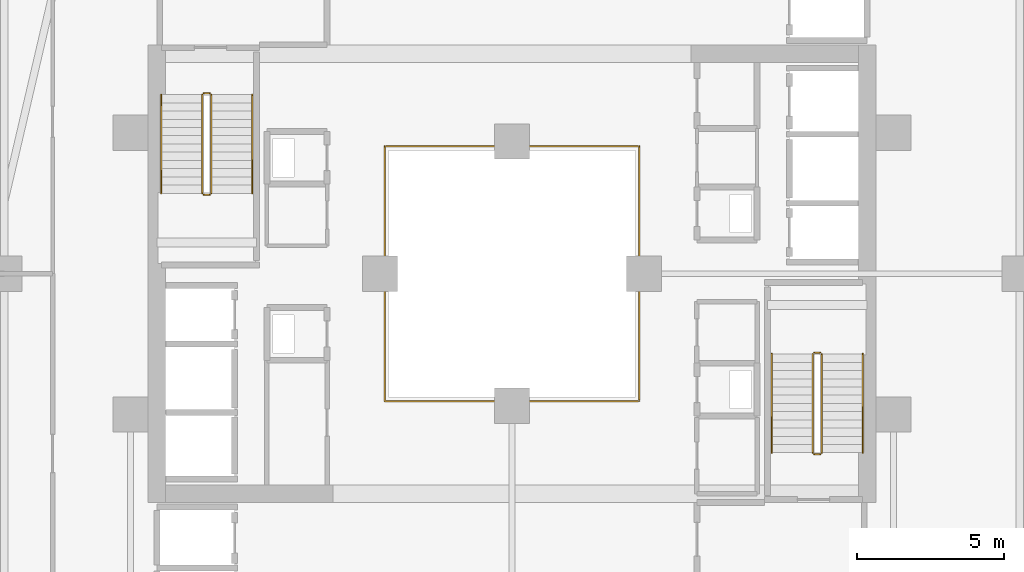
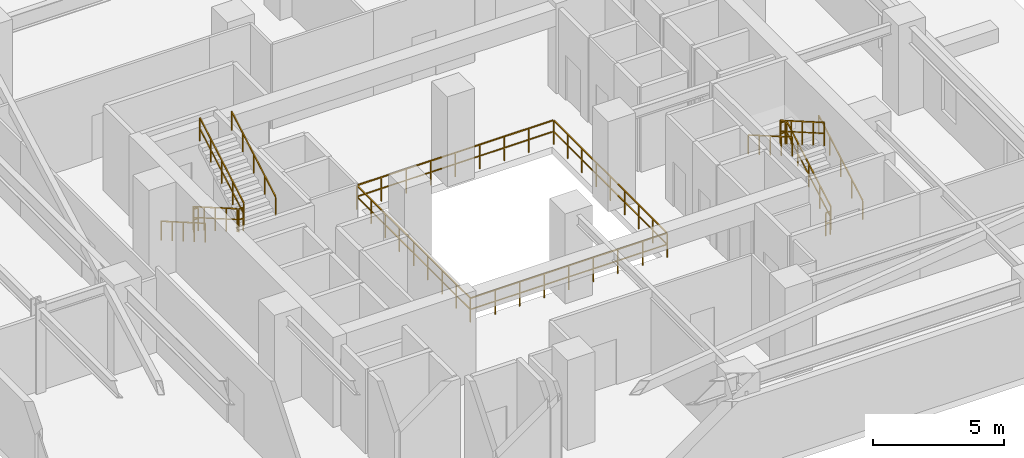
# One storey, part 28 of 30: 13 railings.
"""IFC4 building model written with IfcOpenShell, lengths in metres."""

from ifc_helpers import new_model, si_unit, direction, frame, origin, origin_2d, place, context, subcontext, project, spatial, rectangle, extrude, material, type_object, element, save


model = new_model("IFC4")

# Units and contexts
model_context = context("Model", 3, precision=1e-05, world=origin(), true_north=direction((0.0, 1.0)))
body_context = subcontext(model_context, "Body", "Model", "MODEL_VIEW")
ifc_project = project(units=[si_unit("LENGTHUNIT", "METRE"), si_unit("AREAUNIT", "SQUARE_METRE"), si_unit("VOLUMEUNIT", "CUBIC_METRE"), si_unit("PLANEANGLEUNIT", "RADIAN"), si_unit("MASSUNIT", "GRAM", prefix="KILO")], contexts=[model_context])

# Site, building, storey
site_placement = place(None, origin())
site = spatial("IfcSite", under=ifc_project, at=site_placement, CompositionType="ELEMENT")
building_placement = place(site_placement, origin())
building = spatial("IfcBuilding", under=site, at=building_placement, Name="Thornwick Lancets Civic Towers", CompositionType="ELEMENT")
storey_placement = place(building_placement, frame((0.0, 0.0, 75.89990234375)))
storey = spatial("IfcBuildingStorey", under=building, at=storey_placement, Name="L19", CompositionType="ELEMENT", Elevation=75.89990234375)

# Railings
ifc_material_1 = material(Name="Laminated glass and bronze steel S355", Category="steel")
railing_type_1 = type_object("IfcRailingType", Name="RAIL_ATRIUM_GUARD", PredefinedType="BALUSTRADE", material=ifc_material_1)
railing_1_placement = place(storey_placement, frame((84.159912109375, 22.659912109375, 0.0)))
element("IfcRailing", 1, at=railing_1_placement, inside=storey, type_object=railing_type_1, Name="L19 Tower B Central Atrium Guard Balustrade", PredefinedType="BALUSTRADE", context=body_context, shape_type="SweptSolid", body=[
    extrude(rectangle(XDim=0.048095703125, YDim=0.048095703125, at=origin_2d()), frame((0.0, 0.0, 1.1259765625), z_axis=(1.0, 0.0, 0.0), x_axis=(0.0, 1.0, 0.0)), (0.0, 0.0, 1.0), 8.64892578125),
    extrude(rectangle(XDim=0.0419921875, YDim=0.0419921875, at=origin_2d()), frame((0.03759765625, 0.0, 0.597900390625), z_axis=(1.0, 0.0, 0.0), x_axis=(0.0, 1.0, 0.0)), (0.0, 0.0, 1.0), 1.010009765625),
    extrude(rectangle(XDim=0.0419921875, YDim=0.0419921875, at=origin_2d()), frame((1.12255859375, 0.0, 0.597900390625), z_axis=(1.0, 0.0, 0.0), x_axis=(0.0, 1.0, 0.0)), (0.0, 0.0, 1.0), 1.010009765625),
    extrude(rectangle(XDim=0.0419921875, YDim=0.0419921875, at=origin_2d()), frame((2.20751953125, 0.0, 0.597900390625), z_axis=(1.0, 0.0, 0.0), x_axis=(0.0, 1.0, 0.0)), (0.0, 0.0, 1.0), 1.010009765625),
    extrude(rectangle(XDim=0.0419921875, YDim=0.0419921875, at=origin_2d()), frame((3.29248046875, 0.0, 0.597900390625), z_axis=(1.0, 0.0, 0.0), x_axis=(0.0, 1.0, 0.0)), (0.0, 0.0, 1.0), 1.010009765625),
    extrude(rectangle(XDim=0.0419921875, YDim=0.0419921875, at=origin_2d()), frame((4.377685546875, 0.0, 0.597900390625), z_axis=(1.0, 0.0, 0.0), x_axis=(0.0, 1.0, 0.0)), (0.0, 0.0, 1.0), 1.010009765625),
    extrude(rectangle(XDim=0.0419921875, YDim=0.0419921875, at=origin_2d()), frame((5.462646484375, 0.0, 0.597900390625), z_axis=(1.0, 0.0, 0.0), x_axis=(0.0, 1.0, 0.0)), (0.0, 0.0, 1.0), 1.010009765625),
    extrude(rectangle(XDim=0.0419921875, YDim=0.0419921875, at=origin_2d()), frame((6.547607421875, 0.0, 0.597900390625), z_axis=(1.0, 0.0, 0.0), x_axis=(0.0, 1.0, 0.0)), (0.0, 0.0, 1.0), 1.010009765625),
    extrude(rectangle(XDim=0.0419921875, YDim=0.0419921875, at=origin_2d()), frame((7.632568359375, 0.0, 0.597900390625), z_axis=(1.0, 0.0, 0.0), x_axis=(0.0, 1.0, 0.0)), (0.0, 0.0, 1.0), 1.010009765625),
    extrude(rectangle(XDim=0.048095703125, YDim=0.048095703125, at=origin_2d()), frame((8.68017578125, 0.03125, 1.1259765625), z_axis=(0.0, 1.0, 0.0), x_axis=(-1.0, 0.0, 0.0)), (0.0, 0.0, 1.0), 8.61767578125),
    extrude(rectangle(XDim=0.0419921875, YDim=0.0419921875, at=origin_2d()), frame((8.68017578125, 0.03759765625, 0.597900390625), z_axis=(0.0, 1.0, 0.0), x_axis=(-1.0, 0.0, 0.0)), (0.0, 0.0, 1.0), 1.010009765625),
    extrude(rectangle(XDim=0.0419921875, YDim=0.0419921875, at=origin_2d()), frame((8.68017578125, 1.12255859375, 0.597900390625), z_axis=(0.0, 1.0, 0.0), x_axis=(-1.0, 0.0, 0.0)), (0.0, 0.0, 1.0), 1.010009765625),
    extrude(rectangle(XDim=0.0419921875, YDim=0.0419921875, at=origin_2d()), frame((8.68017578125, 2.20751953125, 0.597900390625), z_axis=(0.0, 1.0, 0.0), x_axis=(-1.0, 0.0, 0.0)), (0.0, 0.0, 1.0), 1.010009765625),
    extrude(rectangle(XDim=0.0419921875, YDim=0.0419921875, at=origin_2d()), frame((8.68017578125, 3.29248046875, 0.597900390625), z_axis=(0.0, 1.0, 0.0), x_axis=(-1.0, 0.0, 0.0)), (0.0, 0.0, 1.0), 1.010009765625),
    extrude(rectangle(XDim=0.0419921875, YDim=0.0419921875, at=origin_2d()), frame((8.68017578125, 4.377685546875, 0.597900390625), z_axis=(0.0, 1.0, 0.0), x_axis=(-1.0, 0.0, 0.0)), (0.0, 0.0, 1.0), 1.010009765625),
    extrude(rectangle(XDim=0.0419921875, YDim=0.0419921875, at=origin_2d()), frame((8.68017578125, 5.462646484375, 0.597900390625), z_axis=(0.0, 1.0, 0.0), x_axis=(-1.0, 0.0, 0.0)), (0.0, 0.0, 1.0), 1.010009765625),
    extrude(rectangle(XDim=0.0419921875, YDim=0.0419921875, at=origin_2d()), frame((8.68017578125, 6.547607421875, 0.597900390625), z_axis=(0.0, 1.0, 0.0), x_axis=(-1.0, 0.0, 0.0)), (0.0, 0.0, 1.0), 1.010009765625),
    extrude(rectangle(XDim=0.0419921875, YDim=0.0419921875, at=origin_2d()), frame((8.68017578125, 7.632568359375, 0.597900390625), z_axis=(0.0, 1.0, 0.0), x_axis=(-1.0, 0.0, 0.0)), (0.0, 0.0, 1.0), 1.010009765625),
    extrude(rectangle(XDim=0.048095703125, YDim=0.048095703125, at=origin_2d()), frame((8.64892578125, 8.68017578125, 1.1259765625), z_axis=(-1.0, 0.0, 0.0), x_axis=(0.0, -1.0, 0.0)), (0.0, 0.0, 1.0), 8.61767578125),
    extrude(rectangle(XDim=0.0419921875, YDim=0.0419921875, at=origin_2d()), frame((8.642578125, 8.68017578125, 0.597900390625), z_axis=(-1.0, 0.0, 0.0), x_axis=(0.0, -1.0, 0.0)), (0.0, 0.0, 1.0), 1.010009765625),
    extrude(rectangle(XDim=0.0419921875, YDim=0.0419921875, at=origin_2d()), frame((7.5576171875, 8.68017578125, 0.597900390625), z_axis=(-1.0, 0.0, 0.0), x_axis=(0.0, -1.0, 0.0)), (0.0, 0.0, 1.0), 1.010009765625),
    extrude(rectangle(XDim=0.0419921875, YDim=0.0419921875, at=origin_2d()), frame((6.47265625, 8.68017578125, 0.597900390625), z_axis=(-1.0, 0.0, 0.0), x_axis=(0.0, -1.0, 0.0)), (0.0, 0.0, 1.0), 1.010009765625),
    extrude(rectangle(XDim=0.0419921875, YDim=0.0419921875, at=origin_2d()), frame((5.3876953125, 8.68017578125, 0.597900390625), z_axis=(-1.0, 0.0, 0.0), x_axis=(0.0, -1.0, 0.0)), (0.0, 0.0, 1.0), 1.010009765625),
    extrude(rectangle(XDim=0.0419921875, YDim=0.0419921875, at=origin_2d()), frame((4.302490234375, 8.68017578125, 0.597900390625), z_axis=(-1.0, 0.0, 0.0), x_axis=(0.0, -1.0, 0.0)), (0.0, 0.0, 1.0), 1.010009765625),
    extrude(rectangle(XDim=0.0419921875, YDim=0.0419921875, at=origin_2d()), frame((3.217529296875, 8.68017578125, 0.597900390625), z_axis=(-1.0, 0.0, 0.0), x_axis=(0.0, -1.0, 0.0)), (0.0, 0.0, 1.0), 1.010009765625),
    extrude(rectangle(XDim=0.0419921875, YDim=0.0419921875, at=origin_2d()), frame((2.132568359375, 8.68017578125, 0.597900390625), z_axis=(-1.0, 0.0, 0.0), x_axis=(0.0, -1.0, 0.0)), (0.0, 0.0, 1.0), 1.010009765625),
    extrude(rectangle(XDim=0.0419921875, YDim=0.0419921875, at=origin_2d()), frame((1.047607421875, 8.68017578125, 0.597900390625), z_axis=(-1.0, 0.0, 0.0), x_axis=(0.0, -1.0, 0.0)), (0.0, 0.0, 1.0), 1.010009765625),
    extrude(rectangle(XDim=0.048095703125, YDim=0.048095703125, at=origin_2d()), frame((0.0, 8.64892578125, 1.1259765625), z_axis=(0.0, -1.0, 0.0), x_axis=(1.0, 0.0, 0.0)), (0.0, 0.0, 1.0), 8.64892578125),
    extrude(rectangle(XDim=0.0419921875, YDim=0.0419921875, at=origin_2d()), frame((0.0, 8.642578125, 0.597900390625), z_axis=(0.0, -1.0, 0.0), x_axis=(1.0, 0.0, 0.0)), (0.0, 0.0, 1.0), 1.010009765625),
    extrude(rectangle(XDim=0.0419921875, YDim=0.0419921875, at=origin_2d()), frame((0.0, 7.5576171875, 0.597900390625), z_axis=(0.0, -1.0, 0.0), x_axis=(1.0, 0.0, 0.0)), (0.0, 0.0, 1.0), 1.010009765625),
    extrude(rectangle(XDim=0.0419921875, YDim=0.0419921875, at=origin_2d()), frame((0.0, 6.47265625, 0.597900390625), z_axis=(0.0, -1.0, 0.0), x_axis=(1.0, 0.0, 0.0)), (0.0, 0.0, 1.0), 1.010009765625),
    extrude(rectangle(XDim=0.0419921875, YDim=0.0419921875, at=origin_2d()), frame((0.0, 5.3876953125, 0.597900390625), z_axis=(0.0, -1.0, 0.0), x_axis=(1.0, 0.0, 0.0)), (0.0, 0.0, 1.0), 1.010009765625),
    extrude(rectangle(XDim=0.0419921875, YDim=0.0419921875, at=origin_2d()), frame((0.0, 4.302490234375, 0.597900390625), z_axis=(0.0, -1.0, 0.0), x_axis=(1.0, 0.0, 0.0)), (0.0, 0.0, 1.0), 1.010009765625),
    extrude(rectangle(XDim=0.0419921875, YDim=0.0419921875, at=origin_2d()), frame((0.0, 3.217529296875, 0.597900390625), z_axis=(0.0, -1.0, 0.0), x_axis=(1.0, 0.0, 0.0)), (0.0, 0.0, 1.0), 1.010009765625),
    extrude(rectangle(XDim=0.0419921875, YDim=0.0419921875, at=origin_2d()), frame((0.0, 2.132568359375, 0.597900390625), z_axis=(0.0, -1.0, 0.0), x_axis=(1.0, 0.0, 0.0)), (0.0, 0.0, 1.0), 1.010009765625),
    extrude(rectangle(XDim=0.0419921875, YDim=0.0419921875, at=origin_2d()), frame((0.0, 1.047607421875, 0.597900390625), z_axis=(0.0, -1.0, 0.0), x_axis=(1.0, 0.0, 0.0)), (0.0, 0.0, 1.0), 1.010009765625),
    extrude(rectangle(XDim=0.0419921875, YDim=0.0419921875, at=origin_2d()), origin(), (0.0, 0.0, 1.0), 1.095703125),
    extrude(rectangle(XDim=0.0419921875, YDim=0.0419921875, at=origin_2d()), frame((1.0849609375, 0.0, 0.0)), (0.0, 0.0, 1.0), 1.095703125),
    extrude(rectangle(XDim=0.0419921875, YDim=0.0419921875, at=origin_2d()), frame((2.169921875, 0.0, 0.0)), (0.0, 0.0, 1.0), 1.095703125),
    extrude(rectangle(XDim=0.0419921875, YDim=0.0419921875, at=origin_2d()), frame((3.255126953125, 0.0, 0.0)), (0.0, 0.0, 1.0), 1.095703125),
    extrude(rectangle(XDim=0.0419921875, YDim=0.0419921875, at=origin_2d()), frame((4.340087890625, 0.0, 0.0)), (0.0, 0.0, 1.0), 1.095703125),
    extrude(rectangle(XDim=0.0419921875, YDim=0.0419921875, at=origin_2d()), frame((5.425048828125, 0.0, 0.0)), (0.0, 0.0, 1.0), 1.095703125),
    extrude(rectangle(XDim=0.0419921875, YDim=0.0419921875, at=origin_2d()), frame((6.51025390625, 0.0, 0.0)), (0.0, 0.0, 1.0), 1.095703125),
    extrude(rectangle(XDim=0.0419921875, YDim=0.0419921875, at=origin_2d()), frame((7.59521484375, 0.0, 0.0)), (0.0, 0.0, 1.0), 1.095703125),
    extrude(rectangle(XDim=0.0419921875, YDim=0.0419921875, at=origin_2d()), frame((8.68017578125, 0.0, 0.0)), (0.0, 0.0, 1.0), 1.095703125),
    extrude(rectangle(XDim=0.0419921875, YDim=0.0419921875, at=origin_2d()), frame((8.68017578125, 1.0849609375, 0.0)), (0.0, 0.0, 1.0), 1.095703125),
    extrude(rectangle(XDim=0.0419921875, YDim=0.0419921875, at=origin_2d()), frame((8.68017578125, 2.169921875, 0.0)), (0.0, 0.0, 1.0), 1.095703125),
    extrude(rectangle(XDim=0.0419921875, YDim=0.0419921875, at=origin_2d()), frame((8.68017578125, 3.255126953125, 0.0)), (0.0, 0.0, 1.0), 1.095703125),
    extrude(rectangle(XDim=0.0419921875, YDim=0.0419921875, at=origin_2d()), frame((8.68017578125, 4.340087890625, 0.0)), (0.0, 0.0, 1.0), 1.095703125),
    extrude(rectangle(XDim=0.0419921875, YDim=0.0419921875, at=origin_2d()), frame((8.68017578125, 5.425048828125, 0.0)), (0.0, 0.0, 1.0), 1.095703125),
    extrude(rectangle(XDim=0.0419921875, YDim=0.0419921875, at=origin_2d()), frame((8.68017578125, 6.51025390625, 0.0)), (0.0, 0.0, 1.0), 1.095703125),
    extrude(rectangle(XDim=0.0419921875, YDim=0.0419921875, at=origin_2d()), frame((8.68017578125, 7.59521484375, 0.0)), (0.0, 0.0, 1.0), 1.095703125),
    extrude(rectangle(XDim=0.0419921875, YDim=0.0419921875, at=origin_2d()), frame((8.68017578125, 8.68017578125, 0.0)), (0.0, 0.0, 1.0), 1.095703125),
    extrude(rectangle(XDim=0.0419921875, YDim=0.0419921875, at=origin_2d()), frame((7.59521484375, 8.68017578125, 0.0)), (0.0, 0.0, 1.0), 1.095703125),
    extrude(rectangle(XDim=0.0419921875, YDim=0.0419921875, at=origin_2d()), frame((6.51025390625, 8.68017578125, 0.0)), (0.0, 0.0, 1.0), 1.095703125),
    extrude(rectangle(XDim=0.0419921875, YDim=0.0419921875, at=origin_2d()), frame((5.425048828125, 8.68017578125, 0.0)), (0.0, 0.0, 1.0), 1.095703125),
    extrude(rectangle(XDim=0.0419921875, YDim=0.0419921875, at=origin_2d()), frame((4.340087890625, 8.68017578125, 0.0)), (0.0, 0.0, 1.0), 1.095703125),
    extrude(rectangle(XDim=0.0419921875, YDim=0.0419921875, at=origin_2d()), frame((3.255126953125, 8.68017578125, 0.0)), (0.0, 0.0, 1.0), 1.095703125),
    extrude(rectangle(XDim=0.0419921875, YDim=0.0419921875, at=origin_2d()), frame((2.169921875, 8.68017578125, 0.0)), (0.0, 0.0, 1.0), 1.095703125),
    extrude(rectangle(XDim=0.0419921875, YDim=0.0419921875, at=origin_2d()), frame((1.0849609375, 8.68017578125, 0.0)), (0.0, 0.0, 1.0), 1.095703125),
    extrude(rectangle(XDim=0.0419921875, YDim=0.0419921875, at=origin_2d()), frame((0.0, 8.68017578125, 0.0)), (0.0, 0.0, 1.0), 1.095703125),
    extrude(rectangle(XDim=0.0419921875, YDim=0.0419921875, at=origin_2d()), frame((0.0, 7.59521484375, 0.0)), (0.0, 0.0, 1.0), 1.095703125),
    extrude(rectangle(XDim=0.0419921875, YDim=0.0419921875, at=origin_2d()), frame((0.0, 6.51025390625, 0.0)), (0.0, 0.0, 1.0), 1.095703125),
    extrude(rectangle(XDim=0.0419921875, YDim=0.0419921875, at=origin_2d()), frame((0.0, 5.425048828125, 0.0)), (0.0, 0.0, 1.0), 1.095703125),
    extrude(rectangle(XDim=0.0419921875, YDim=0.0419921875, at=origin_2d()), frame((0.0, 4.340087890625, 0.0)), (0.0, 0.0, 1.0), 1.095703125),
    extrude(rectangle(XDim=0.0419921875, YDim=0.0419921875, at=origin_2d()), frame((0.0, 3.255126953125, 0.0)), (0.0, 0.0, 1.0), 1.095703125),
    extrude(rectangle(XDim=0.0419921875, YDim=0.0419921875, at=origin_2d()), frame((0.0, 2.169921875, 0.0)), (0.0, 0.0, 1.0), 1.095703125),
    extrude(rectangle(XDim=0.0419921875, YDim=0.0419921875, at=origin_2d()), frame((0.0, 1.0849609375, 0.0)), (0.0, 0.0, 1.0), 1.095703125),
])
ifc_material_2 = material(Name="Brushed stainless steel S355", Category="steel")
railing_type_2 = type_object("IfcRailingType", Name="RAIL_HANDRAIL", PredefinedType="HANDRAIL", material=ifc_material_2)
railing_2_placement = place(storey_placement, frame((100.449951171875, 20.89990234375, 0.16162109375)))
element("IfcRailing", 2, at=railing_2_placement, inside=storey, type_object=railing_type_2, Name="L19 ST-B1 stair handrail 1", PredefinedType="HANDRAIL", context=body_context, shape_type="SweptSolid", body=[
    extrude(rectangle(XDim=0.048095703125, YDim=0.048095703125, at=origin_2d()), frame((0.0, 0.0, 0.8857421875), z_axis=(0.0, 0.866190824863, 0.499713372768), x_axis=(-1.0, 0.0, 0.0)), (0.0, 0.0, 1.0), 3.879150390625),
    extrude(rectangle(XDim=0.0419921875, YDim=0.0419921875, at=origin_2d()), origin(), (0.0, 0.0, 1.0), 0.855712890625),
    extrude(rectangle(XDim=0.0419921875, YDim=0.0419921875, at=origin_2d()), frame((0.0, 0.840087890625, 0.484619140625)), (0.0, 0.0, 1.0), 0.855712890625),
    extrude(rectangle(XDim=0.0419921875, YDim=0.0419921875, at=origin_2d()), frame((0.0, 1.68017578125, 0.96923828125)), (0.0, 0.0, 1.0), 0.855712890625),
    extrude(rectangle(XDim=0.0419921875, YDim=0.0419921875, at=origin_2d()), frame((0.0, 2.52001953125, 1.453857421875)), (0.0, 0.0, 1.0), 0.855712890625),
    extrude(rectangle(XDim=0.0419921875, YDim=0.0419921875, at=origin_2d()), frame((0.0, 3.360107421875, 1.9384765625)), (0.0, 0.0, 1.0), 0.855712890625),
])
for number, where, name in (
    (3, (97.35009765625, 24.260009765625, 2.26171875), "L19 ST-B1 stair handrail 2"),
    (4, (76.550048828125, 33.10009765625, 0.16162109375), "L19 ST-B2 stair handrail 1"),
):
    element("IfcRailing", number, at=place(storey_placement, frame(where)), inside=storey, type_object=railing_type_2, Name=name, PredefinedType="HANDRAIL", context=body_context, shape_type="SweptSolid", body=[
        extrude(rectangle(XDim=0.048095703125, YDim=0.048095703125, at=origin_2d()), frame((0.0, 0.0, 0.8857421875), z_axis=(0.0, -0.866190824863, 0.499713372768), x_axis=(1.0, 0.0, 0.0)), (0.0, 0.0, 1.0), 3.879150390625),
        extrude(rectangle(XDim=0.0419921875, YDim=0.0419921875, at=origin_2d()), origin(), (0.0, 0.0, 1.0), 0.855712890625),
        extrude(rectangle(XDim=0.0419921875, YDim=0.0419921875, at=origin_2d()), frame((0.0, -0.840087890625, 0.484619140625)), (0.0, 0.0, 1.0), 0.855712890625),
        extrude(rectangle(XDim=0.0419921875, YDim=0.0419921875, at=origin_2d()), frame((0.0, -1.68017578125, 0.96923828125)), (0.0, 0.0, 1.0), 0.855712890625),
        extrude(rectangle(XDim=0.0419921875, YDim=0.0419921875, at=origin_2d()), frame((0.0, -2.52001953125, 1.453857421875)), (0.0, 0.0, 1.0), 0.855712890625),
        extrude(rectangle(XDim=0.0419921875, YDim=0.0419921875, at=origin_2d()), frame((0.0, -3.360107421875, 1.9384765625)), (0.0, 0.0, 1.0), 0.855712890625),
    ])
railing_3_placement = place(storey_placement, frame((79.64990234375, 29.739990234375, 2.26171875)))
element("IfcRailing", 5, at=railing_3_placement, inside=storey, type_object=railing_type_2, Name="L19 ST-B2 stair handrail 2", PredefinedType="HANDRAIL", context=body_context, shape_type="SweptSolid", body=[
    extrude(rectangle(XDim=0.048095703125, YDim=0.048095703125, at=origin_2d()), frame((0.0, 0.0, 0.8857421875), z_axis=(0.0, 0.866190824863, 0.499713372768), x_axis=(-1.0, 0.0, 0.0)), (0.0, 0.0, 1.0), 3.879150390625),
    extrude(rectangle(XDim=0.0419921875, YDim=0.0419921875, at=origin_2d()), origin(), (0.0, 0.0, 1.0), 0.855712890625),
    extrude(rectangle(XDim=0.0419921875, YDim=0.0419921875, at=origin_2d()), frame((0.0, 0.840087890625, 0.484619140625)), (0.0, 0.0, 1.0), 0.855712890625),
    extrude(rectangle(XDim=0.0419921875, YDim=0.0419921875, at=origin_2d()), frame((0.0, 1.68017578125, 0.96923828125)), (0.0, 0.0, 1.0), 0.855712890625),
    extrude(rectangle(XDim=0.0419921875, YDim=0.0419921875, at=origin_2d()), frame((0.0, 2.52001953125, 1.453857421875)), (0.0, 0.0, 1.0), 0.855712890625),
    extrude(rectangle(XDim=0.0419921875, YDim=0.0419921875, at=origin_2d()), frame((0.0, 3.360107421875, 1.9384765625)), (0.0, 0.0, 1.0), 0.855712890625),
])
ifc_material_3 = material(Name="Steel S355JR", Category="steel")
railing_type_3 = type_object("IfcRailingType", Name="RAIL_STAIR_GUARD", PredefinedType="GUARDRAIL", material=ifc_material_3)
railing_4_placement = place(storey_placement, frame((99.050048828125, 20.89990234375, 0.16162109375)))
element("IfcRailing", 6, at=railing_4_placement, inside=storey, type_object=railing_type_3, Name="L19 ST-B1 stair guard 1", PredefinedType="GUARDRAIL", context=body_context, shape_type="SweptSolid", body=[
    extrude(rectangle(XDim=0.048095703125, YDim=0.048095703125, at=origin_2d()), frame((0.0, 0.0, 1.076171875), z_axis=(0.0, 0.866190824863, 0.499713372768), x_axis=(-1.0, 0.0, 0.0)), (0.0, 0.0, 1.0), 3.879150390625),
    extrude(rectangle(XDim=0.0419921875, YDim=0.0419921875, at=origin_2d()), frame((0.0, 0.032470703125, 0.5908203125), z_axis=(0.0, 0.866190824863, 0.499713372768), x_axis=(-1.0, 0.0, 0.0)), (0.0, 0.0, 1.0), 0.894775390625),
    extrude(rectangle(XDim=0.0419921875, YDim=0.0419921875, at=origin_2d()), frame((0.0, 0.87255859375, 1.075439453125), z_axis=(0.0, 0.866190824863, 0.499713372768), x_axis=(-1.0, 0.0, 0.0)), (0.0, 0.0, 1.0), 0.894775390625),
    extrude(rectangle(XDim=0.0419921875, YDim=0.0419921875, at=origin_2d()), frame((0.0, 1.712646484375, 1.56005859375), z_axis=(0.0, 0.866190824863, 0.499713372768), x_axis=(-1.0, 0.0, 0.0)), (0.0, 0.0, 1.0), 0.894775390625),
    extrude(rectangle(XDim=0.0419921875, YDim=0.0419921875, at=origin_2d()), frame((0.0, 2.552490234375, 2.044677734375), z_axis=(0.0, 0.866190824863, 0.499713372768), x_axis=(-1.0, 0.0, 0.0)), (0.0, 0.0, 1.0), 0.894775390625),
    extrude(rectangle(XDim=0.0419921875, YDim=0.0419921875, at=origin_2d()), origin(), (0.0, 0.0, 1.0), 1.0458984375),
    extrude(rectangle(XDim=0.0419921875, YDim=0.0419921875, at=origin_2d()), frame((0.0, 0.840087890625, 0.484619140625)), (0.0, 0.0, 1.0), 1.0458984375),
    extrude(rectangle(XDim=0.0419921875, YDim=0.0419921875, at=origin_2d()), frame((0.0, 1.68017578125, 0.96923828125)), (0.0, 0.0, 1.0), 1.0458984375),
    extrude(rectangle(XDim=0.0419921875, YDim=0.0419921875, at=origin_2d()), frame((0.0, 2.52001953125, 1.453857421875)), (0.0, 0.0, 1.0), 1.0458984375),
    extrude(rectangle(XDim=0.0419921875, YDim=0.0419921875, at=origin_2d()), frame((0.0, 3.360107421875, 1.9384765625)), (0.0, 0.0, 1.0), 1.0458984375),
])
railing_5_placement = place(storey_placement, frame((99.0, 24.31005859375, 2.10009765625)))
element("IfcRailing", 7, at=railing_5_placement, inside=storey, type_object=railing_type_3, Name="L19 ST-B1 stair guard 2", PredefinedType="GUARDRAIL", context=body_context, shape_type="SweptSolid", body=[
    extrude(rectangle(XDim=0.048095703125, YDim=0.048095703125, at=origin_2d()), frame((0.0, 0.0, 1.076171875), z_axis=(-1.0, 0.0, 0.0), x_axis=(0.0, -1.0, 0.0)), (0.0, 0.0, 1.0), 0.199951171875),
    extrude(rectangle(XDim=0.0419921875, YDim=0.0419921875, at=origin_2d()), frame((-0.03759765625, 0.0, 0.572021484375), z_axis=(-1.0, 0.0, 0.0), x_axis=(0.0, -1.0, 0.0)), (0.0, 0.0, 1.0), 0.125),
    extrude(rectangle(XDim=0.0419921875, YDim=0.0419921875, at=origin_2d()), origin(), (0.0, 0.0, 1.0), 1.0458984375),
    extrude(rectangle(XDim=0.0419921875, YDim=0.0419921875, at=origin_2d()), frame((-0.199951171875, 0.0, 0.0)), (0.0, 0.0, 1.0), 1.0458984375),
])
railing_6_placement = place(storey_placement, frame((98.75, 24.260009765625, 2.26171875)))
element("IfcRailing", 8, at=railing_6_placement, inside=storey, type_object=railing_type_3, Name="L19 ST-B1 stair guard 3", PredefinedType="GUARDRAIL", context=body_context, shape_type="SweptSolid", body=[
    extrude(rectangle(XDim=0.048095703125, YDim=0.048095703125, at=origin_2d()), frame((0.0, 0.0, 1.076171875), z_axis=(0.0, -0.866190824863, 0.499713372768), x_axis=(1.0, 0.0, 0.0)), (0.0, 0.0, 1.0), 3.879150390625),
    extrude(rectangle(XDim=0.0419921875, YDim=0.0419921875, at=origin_2d()), frame((0.0, -0.032470703125, 0.5908203125), z_axis=(0.0, -0.866190824863, 0.499713372768), x_axis=(1.0, 0.0, 0.0)), (0.0, 0.0, 1.0), 0.894775390625),
    extrude(rectangle(XDim=0.0419921875, YDim=0.0419921875, at=origin_2d()), frame((0.0, -0.87255859375, 1.075439453125), z_axis=(0.0, -0.866190824863, 0.499713372768), x_axis=(1.0, 0.0, 0.0)), (0.0, 0.0, 1.0), 0.894775390625),
    extrude(rectangle(XDim=0.0419921875, YDim=0.0419921875, at=origin_2d()), frame((0.0, -1.712646484375, 1.56005859375), z_axis=(0.0, -0.866190824863, 0.499713372768), x_axis=(1.0, 0.0, 0.0)), (0.0, 0.0, 1.0), 0.894775390625),
    extrude(rectangle(XDim=0.0419921875, YDim=0.0419921875, at=origin_2d()), frame((0.0, -2.552490234375, 2.044677734375), z_axis=(0.0, -0.866190824863, 0.499713372768), x_axis=(1.0, 0.0, 0.0)), (0.0, 0.0, 1.0), 0.894775390625),
    extrude(rectangle(XDim=0.0419921875, YDim=0.0419921875, at=origin_2d()), origin(), (0.0, 0.0, 1.0), 1.0458984375),
    extrude(rectangle(XDim=0.0419921875, YDim=0.0419921875, at=origin_2d()), frame((0.0, -0.840087890625, 0.484619140625)), (0.0, 0.0, 1.0), 1.0458984375),
    extrude(rectangle(XDim=0.0419921875, YDim=0.0419921875, at=origin_2d()), frame((0.0, -1.68017578125, 0.96923828125)), (0.0, 0.0, 1.0), 1.0458984375),
    extrude(rectangle(XDim=0.0419921875, YDim=0.0419921875, at=origin_2d()), frame((0.0, -2.52001953125, 1.453857421875)), (0.0, 0.0, 1.0), 1.0458984375),
    extrude(rectangle(XDim=0.0419921875, YDim=0.0419921875, at=origin_2d()), frame((0.0, -3.360107421875, 1.9384765625)), (0.0, 0.0, 1.0), 1.0458984375),
])
railing_7_placement = place(storey_placement, frame((99.0, 20.85009765625, 0.0)))
element("IfcRailing", 9, at=railing_7_placement, inside=storey, type_object=railing_type_3, Name="L19 ST-B1 stair guard 4", PredefinedType="GUARDRAIL", context=body_context, shape_type="SweptSolid", body=[
    extrude(rectangle(XDim=0.048095703125, YDim=0.048095703125, at=origin_2d()), frame((0.0, 0.0, 1.076171875), z_axis=(-1.0, 0.0, 0.0), x_axis=(0.0, -1.0, 0.0)), (0.0, 0.0, 1.0), 0.199951171875),
    extrude(rectangle(XDim=0.0419921875, YDim=0.0419921875, at=origin_2d()), frame((-0.03759765625, 0.0, 0.572021484375), z_axis=(-1.0, 0.0, 0.0), x_axis=(0.0, -1.0, 0.0)), (0.0, 0.0, 1.0), 0.125),
    extrude(rectangle(XDim=0.0419921875, YDim=0.0419921875, at=origin_2d()), origin(), (0.0, 0.0, 1.0), 1.0458984375),
    extrude(rectangle(XDim=0.0419921875, YDim=0.0419921875, at=origin_2d()), frame((-0.199951171875, 0.0, 0.0)), (0.0, 0.0, 1.0), 1.0458984375),
])
railing_8_placement = place(storey_placement, frame((77.949951171875, 33.10009765625, 0.16162109375)))
element("IfcRailing", 10, at=railing_8_placement, inside=storey, type_object=railing_type_3, Name="L19 ST-B2 stair guard 1", PredefinedType="GUARDRAIL", context=body_context, shape_type="SweptSolid", body=[
    extrude(rectangle(XDim=0.048095703125, YDim=0.048095703125, at=origin_2d()), frame((0.0, 0.0, 1.076171875), z_axis=(0.0, -0.866190824863, 0.499713372768), x_axis=(1.0, 0.0, 0.0)), (0.0, 0.0, 1.0), 3.879150390625),
    extrude(rectangle(XDim=0.0419921875, YDim=0.0419921875, at=origin_2d()), frame((0.0, -0.032470703125, 0.5908203125), z_axis=(0.0, -0.866190824863, 0.499713372768), x_axis=(1.0, 0.0, 0.0)), (0.0, 0.0, 1.0), 0.894775390625),
    extrude(rectangle(XDim=0.0419921875, YDim=0.0419921875, at=origin_2d()), frame((0.0, -0.87255859375, 1.075439453125), z_axis=(0.0, -0.866190824863, 0.499713372768), x_axis=(1.0, 0.0, 0.0)), (0.0, 0.0, 1.0), 0.894775390625),
    extrude(rectangle(XDim=0.0419921875, YDim=0.0419921875, at=origin_2d()), frame((0.0, -1.712646484375, 1.56005859375), z_axis=(0.0, -0.866190824863, 0.499713372768), x_axis=(1.0, 0.0, 0.0)), (0.0, 0.0, 1.0), 0.894775390625),
    extrude(rectangle(XDim=0.0419921875, YDim=0.0419921875, at=origin_2d()), frame((0.0, -2.552490234375, 2.044677734375), z_axis=(0.0, -0.866190824863, 0.499713372768), x_axis=(1.0, 0.0, 0.0)), (0.0, 0.0, 1.0), 0.894775390625),
    extrude(rectangle(XDim=0.0419921875, YDim=0.0419921875, at=origin_2d()), origin(), (0.0, 0.0, 1.0), 1.0458984375),
    extrude(rectangle(XDim=0.0419921875, YDim=0.0419921875, at=origin_2d()), frame((0.0, -0.840087890625, 0.484619140625)), (0.0, 0.0, 1.0), 1.0458984375),
    extrude(rectangle(XDim=0.0419921875, YDim=0.0419921875, at=origin_2d()), frame((0.0, -1.68017578125, 0.96923828125)), (0.0, 0.0, 1.0), 1.0458984375),
    extrude(rectangle(XDim=0.0419921875, YDim=0.0419921875, at=origin_2d()), frame((0.0, -2.52001953125, 1.453857421875)), (0.0, 0.0, 1.0), 1.0458984375),
    extrude(rectangle(XDim=0.0419921875, YDim=0.0419921875, at=origin_2d()), frame((0.0, -3.360107421875, 1.9384765625)), (0.0, 0.0, 1.0), 1.0458984375),
])
railing_9_placement = place(storey_placement, frame((78.0, 29.68994140625, 2.10009765625)))
element("IfcRailing", 11, at=railing_9_placement, inside=storey, type_object=railing_type_3, Name="L19 ST-B2 stair guard 2", PredefinedType="GUARDRAIL", context=body_context, shape_type="SweptSolid", body=[
    extrude(rectangle(XDim=0.048095703125, YDim=0.048095703125, at=origin_2d()), frame((0.0, 0.0, 1.076171875), z_axis=(1.0, 0.0, 0.0), x_axis=(0.0, 1.0, 0.0)), (0.0, 0.0, 1.0), 0.199951171875),
    extrude(rectangle(XDim=0.0419921875, YDim=0.0419921875, at=origin_2d()), frame((0.03759765625, 0.0, 0.572021484375), z_axis=(1.0, 0.0, 0.0), x_axis=(0.0, 1.0, 0.0)), (0.0, 0.0, 1.0), 0.125),
    extrude(rectangle(XDim=0.0419921875, YDim=0.0419921875, at=origin_2d()), origin(), (0.0, 0.0, 1.0), 1.0458984375),
    extrude(rectangle(XDim=0.0419921875, YDim=0.0419921875, at=origin_2d()), frame((0.199951171875, 0.0, 0.0)), (0.0, 0.0, 1.0), 1.0458984375),
])
railing_10_placement = place(storey_placement, frame((78.25, 29.739990234375, 2.26171875)))
element("IfcRailing", 12, at=railing_10_placement, inside=storey, type_object=railing_type_3, Name="L19 ST-B2 stair guard 3", PredefinedType="GUARDRAIL", context=body_context, shape_type="SweptSolid", body=[
    extrude(rectangle(XDim=0.048095703125, YDim=0.048095703125, at=origin_2d()), frame((0.0, 0.0, 1.076171875), z_axis=(0.0, 0.866190824863, 0.499713372768), x_axis=(-1.0, 0.0, 0.0)), (0.0, 0.0, 1.0), 3.879150390625),
    extrude(rectangle(XDim=0.0419921875, YDim=0.0419921875, at=origin_2d()), frame((0.0, 0.032470703125, 0.5908203125), z_axis=(0.0, 0.866190824863, 0.499713372768), x_axis=(-1.0, 0.0, 0.0)), (0.0, 0.0, 1.0), 0.894775390625),
    extrude(rectangle(XDim=0.0419921875, YDim=0.0419921875, at=origin_2d()), frame((0.0, 0.87255859375, 1.075439453125), z_axis=(0.0, 0.866190824863, 0.499713372768), x_axis=(-1.0, 0.0, 0.0)), (0.0, 0.0, 1.0), 0.894775390625),
    extrude(rectangle(XDim=0.0419921875, YDim=0.0419921875, at=origin_2d()), frame((0.0, 1.712646484375, 1.56005859375), z_axis=(0.0, 0.866190824863, 0.499713372768), x_axis=(-1.0, 0.0, 0.0)), (0.0, 0.0, 1.0), 0.894775390625),
    extrude(rectangle(XDim=0.0419921875, YDim=0.0419921875, at=origin_2d()), frame((0.0, 2.552490234375, 2.044677734375), z_axis=(0.0, 0.866190824863, 0.499713372768), x_axis=(-1.0, 0.0, 0.0)), (0.0, 0.0, 1.0), 0.894775390625),
    extrude(rectangle(XDim=0.0419921875, YDim=0.0419921875, at=origin_2d()), origin(), (0.0, 0.0, 1.0), 1.0458984375),
    extrude(rectangle(XDim=0.0419921875, YDim=0.0419921875, at=origin_2d()), frame((0.0, 0.840087890625, 0.484619140625)), (0.0, 0.0, 1.0), 1.0458984375),
    extrude(rectangle(XDim=0.0419921875, YDim=0.0419921875, at=origin_2d()), frame((0.0, 1.68017578125, 0.96923828125)), (0.0, 0.0, 1.0), 1.0458984375),
    extrude(rectangle(XDim=0.0419921875, YDim=0.0419921875, at=origin_2d()), frame((0.0, 2.52001953125, 1.453857421875)), (0.0, 0.0, 1.0), 1.0458984375),
    extrude(rectangle(XDim=0.0419921875, YDim=0.0419921875, at=origin_2d()), frame((0.0, 3.360107421875, 1.9384765625)), (0.0, 0.0, 1.0), 1.0458984375),
])
railing_11_placement = place(storey_placement, frame((78.0, 33.14990234375, 0.0)))
element("IfcRailing", 13, at=railing_11_placement, inside=storey, type_object=railing_type_3, Name="L19 ST-B2 stair guard 4", PredefinedType="GUARDRAIL", context=body_context, shape_type="SweptSolid", body=[
    extrude(rectangle(XDim=0.048095703125, YDim=0.048095703125, at=origin_2d()), frame((0.0, 0.0, 1.076171875), z_axis=(1.0, 0.0, 0.0), x_axis=(0.0, 1.0, 0.0)), (0.0, 0.0, 1.0), 0.199951171875),
    extrude(rectangle(XDim=0.0419921875, YDim=0.0419921875, at=origin_2d()), frame((0.03759765625, 0.0, 0.572021484375), z_axis=(1.0, 0.0, 0.0), x_axis=(0.0, 1.0, 0.0)), (0.0, 0.0, 1.0), 0.125),
    extrude(rectangle(XDim=0.0419921875, YDim=0.0419921875, at=origin_2d()), origin(), (0.0, 0.0, 1.0), 1.0458984375),
    extrude(rectangle(XDim=0.0419921875, YDim=0.0419921875, at=origin_2d()), frame((0.199951171875, 0.0, 0.0)), (0.0, 0.0, 1.0), 1.0458984375),
])

save(model, "model.ifc")
